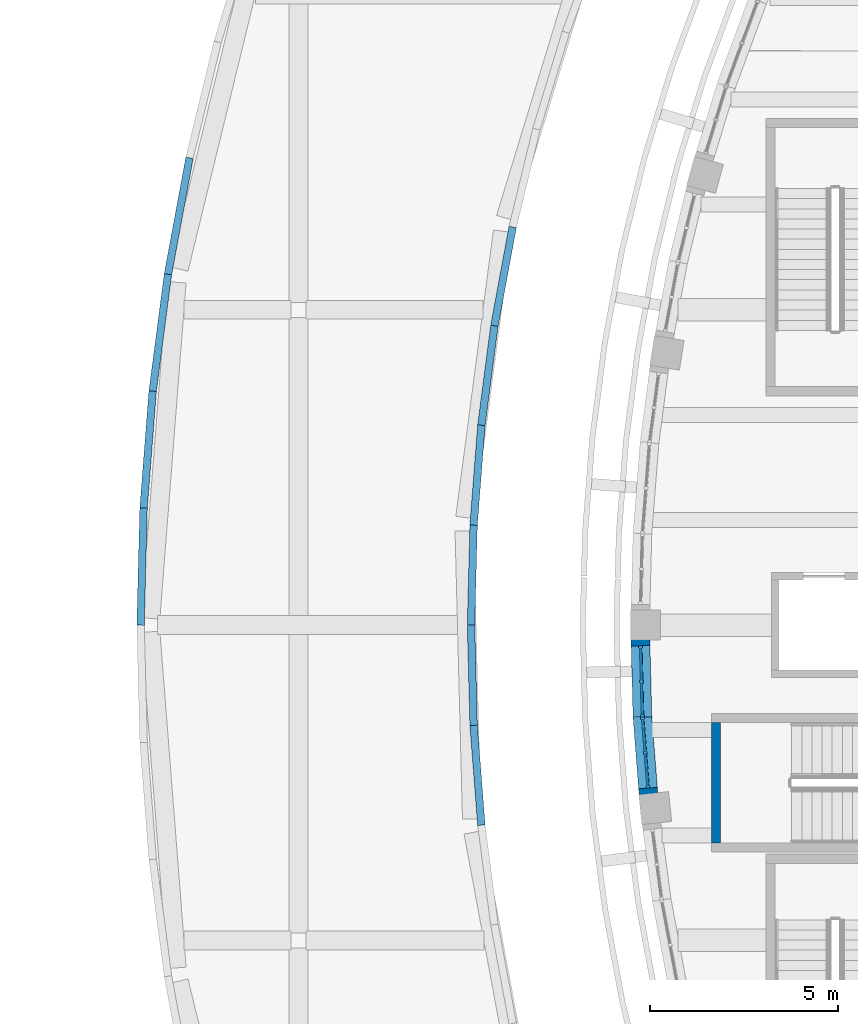
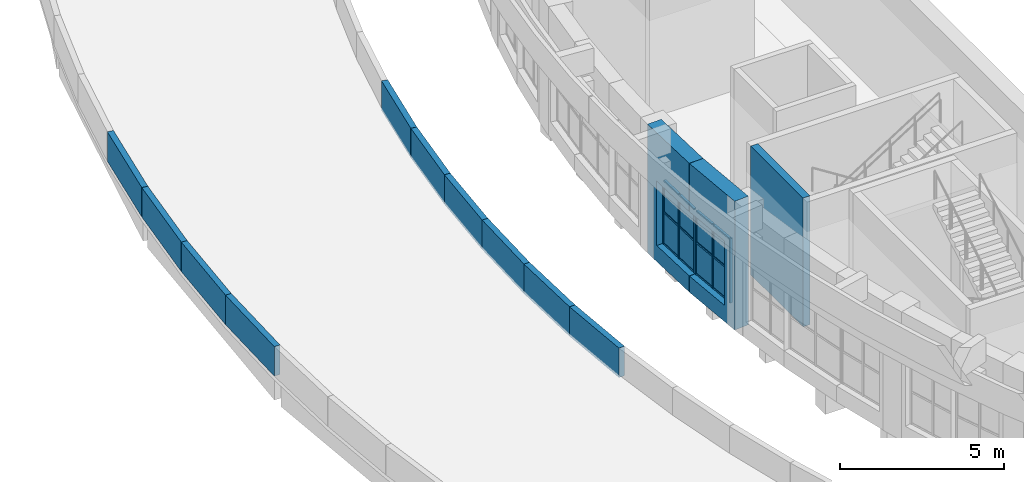
# One storey, part 21 of 79: 18 members, 13 walls, 8 plates, 2 openings, 2 elements without a shape of their own.
"""IFC4 building model written with IfcOpenShell, lengths in metres."""

from ifc_helpers import new_model, si_unit, direction, frame, frame_2d, origin, origin_2d, place, context, subcontext, project, spatial, rectangle, extrude, material, layer, layer_set, material_profile, profile_set, type_object, element, fill, aggregate, save


model = new_model("IFC4")

# Units and contexts
model_context = context("Model", 3, precision=1e-05, world=origin(), true_north=direction((0.0, 1.0)))
body_context = subcontext(model_context, "Body", "Model", "MODEL_VIEW")
ifc_project = project(units=[si_unit("LENGTHUNIT", "METRE"), si_unit("AREAUNIT", "SQUARE_METRE"), si_unit("VOLUMEUNIT", "CUBIC_METRE"), si_unit("PLANEANGLEUNIT", "RADIAN"), si_unit("MASSUNIT", "GRAM", prefix="KILO")], contexts=[model_context])

# Site, building, storey
site_placement = place(None, origin())
site = spatial("IfcSite", under=ifc_project, at=site_placement, CompositionType="ELEMENT")
building_placement = place(site_placement, origin())
building = spatial("IfcBuilding", under=site, at=building_placement, Name="Larchfold Concert Hall", CompositionType="ELEMENT")
storey_placement = place(building_placement, frame((0.0, 0.0, 14.39990234375)))
storey = spatial("IfcBuildingStorey", under=building, at=storey_placement, Name="L03", CompositionType="ELEMENT", Elevation=14.39990234375)

# Curtain wall, members
ifc_material_1 = material(Name="Anodised graphite aluminium curtain wall", Category="aluminium")
ifc_layer_1 = layer(ifc_material_1, 0.10009765625)
ifc_layer_set_1 = layer_set([ifc_layer_1], Name="Anodised graphite aluminium curtain wall")
curtain_wall_type = type_object("IfcCurtainWallType", Name="Curtain wall GB", PredefinedType="NOTDEFINED", material=ifc_layer_set_1)
curtain_wall_1_placement = place(storey_placement, origin())
curtain_wall_1 = element("IfcCurtainWall", 1, at=curtain_wall_1_placement, inside=storey, type_object=curtain_wall_type, Name="Curtain wall CW0039", PredefinedType="NOTDEFINED")
ifc_material_2 = material(Name="Anodised graphite aluminium mullion", Category="aluminium")
ifc_material_profile_1 = material_profile(ifc_material_2, rectangle(XDim=0.10009765625, YDim=0.06005859375, at=origin_2d()))
ifc_profile_set_1 = profile_set([ifc_material_profile_1], Name="Anodised graphite aluminium mullion")
member_type_1 = type_object("IfcMemberType", Name="Aluminium mullion 60x100", PredefinedType="MULLION", material=ifc_profile_set_1)
member_1_placement = place(storey_placement, frame((18.114990234375, 84.02001953125, 0.60009765625), z_axis=(0.0, 0.0, 1.0), x_axis=(0.999662672173, 0.025971943783, 0.0)))
member_1 = element("IfcMember", 2, at=member_1_placement, type_object=member_type_1, Name="CW0039 mullion 1", PredefinedType="MULLION", context=body_context, shape_type="SweptSolid", body=[
    extrude(rectangle(XDim=0.10009765625, YDim=0.06005859375, at=origin_2d()), origin(), (0.0, 0.0, 1.0), 2.39990234375),
])
member_2_placement = place(storey_placement, frame((18.138916015625, 83.100830078125, 0.60009765625), z_axis=(0.0, 0.0, 1.0), x_axis=(0.999662672173, 0.025971943783, 0.0)))
member_2 = element("IfcMember", 3, at=member_2_placement, type_object=member_type_1, Name="CW0039 mullion 2", PredefinedType="MULLION", context=body_context, shape_type="SweptSolid", body=[
    extrude(rectangle(XDim=0.10009765625, YDim=0.06005859375, at=origin_2d()), origin(), (0.0, 0.0, 1.0), 2.39990234375),
])
member_3_placement = place(storey_placement, frame((18.162841796875, 82.181884765625, 0.60009765625), z_axis=(0.0, 0.0, 1.0), x_axis=(0.999662672173, 0.025971943783, 0.0)))
member_3 = element("IfcMember", 4, at=member_3_placement, type_object=member_type_1, Name="CW0039 mullion 3", PredefinedType="MULLION", context=body_context, shape_type="SweptSolid", body=[
    extrude(rectangle(XDim=0.10009765625, YDim=0.06005859375, at=origin_2d()), origin(), (0.0, 0.0, 1.0), 2.39990234375),
])

curtain_wall_2_placement = place(storey_placement, origin())
curtain_wall_2 = element("IfcCurtainWall", 5, at=curtain_wall_2_placement, inside=storey, type_object=curtain_wall_type, Name="Curtain wall CW0040", PredefinedType="NOTDEFINED")
member_4_placement = place(storey_placement, frame((18.166015625, 82.121826171875, 0.60009765625), z_axis=(0.0, 0.0, 1.0), x_axis=(0.996949961472, 0.078043413054, 0.0)))
member_4 = element("IfcMember", 6, at=member_4_placement, type_object=member_type_1, Name="CW0040 mullion 1", PredefinedType="MULLION", context=body_context, shape_type="SweptSolid", body=[
    extrude(rectangle(XDim=0.10009765625, YDim=0.06005859375, at=origin_2d()), origin(), (0.0, 0.0, 1.0), 2.39990234375),
])
member_5_placement = place(storey_placement, frame((18.237548828125, 81.205322265625, 0.60009765625), z_axis=(0.0, 0.0, 1.0), x_axis=(0.996949961472, 0.078043413054, 0.0)))
member_5 = element("IfcMember", 7, at=member_5_placement, type_object=member_type_1, Name="CW0040 mullion 2", PredefinedType="MULLION", context=body_context, shape_type="SweptSolid", body=[
    extrude(rectangle(XDim=0.10009765625, YDim=0.06005859375, at=origin_2d()), origin(), (0.0, 0.0, 1.0), 2.39990234375),
])
member_6_placement = place(storey_placement, frame((18.309326171875, 80.288818359375, 0.60009765625), z_axis=(0.0, 0.0, 1.0), x_axis=(0.996949961472, 0.078043413054, 0.0)))
member_6 = element("IfcMember", 8, at=member_6_placement, type_object=member_type_1, Name="CW0040 mullion 3", PredefinedType="MULLION", context=body_context, shape_type="SweptSolid", body=[
    extrude(rectangle(XDim=0.10009765625, YDim=0.06005859375, at=origin_2d()), origin(), (0.0, 0.0, 1.0), 2.39990234375),
])

# Member
ifc_material_3 = material(Name="Anodised graphite aluminium transom", Category="aluminium")
ifc_material_profile_2 = material_profile(ifc_material_3, rectangle(XDim=0.080078125, YDim=0.06005859375, at=origin_2d()))
ifc_profile_set_2 = profile_set([ifc_material_profile_2], Name="Anodised graphite aluminium transom")
member_type_2 = type_object("IfcMemberType", Name="Aluminium transom 60x80", PredefinedType="USERDEFINED", material=ifc_profile_set_2)
member_7_placement = place(storey_placement, frame((18.11572265625, 83.989990234375, 0.630126953125), z_axis=(0.026134860815, -0.999658426189, 0.0), x_axis=(0.999658426189, 0.026134860815, 0.0)))
member_7 = element("IfcMember", 9, at=member_7_placement, type_object=member_type_2, Name="CW0039 transom 1.1", ObjectType="TRANSOM", PredefinedType="USERDEFINED", context=body_context, shape_type="SweptSolid", body=[
    extrude(rectangle(XDim=0.080078125, YDim=0.06005859375, at=origin_2d()), origin(), (0.0, 0.0, 1.0), 0.859375),
])

member_8_placement = place(storey_placement, frame((18.11572265625, 83.989990234375, 1.800048828125), z_axis=(0.026134860815, -0.999658426189, 0.0), x_axis=(0.999658426189, 0.026134860815, 0.0)))
member_8 = element("IfcMember", 10, at=member_8_placement, type_object=member_type_2, Name="CW0039 transom 1.2", ObjectType="TRANSOM", PredefinedType="USERDEFINED", context=body_context, shape_type="SweptSolid", body=[
    extrude(rectangle(XDim=0.080078125, YDim=0.06005859375, at=origin_2d()), origin(), (0.0, 0.0, 1.0), 0.859375),
])

member_9_placement = place(storey_placement, frame((18.11572265625, 83.989990234375, 2.969970703125), z_axis=(0.026134860815, -0.999658426189, 0.0), x_axis=(0.999658426189, 0.026134860815, 0.0)))
member_9 = element("IfcMember", 11, at=member_9_placement, type_object=member_type_2, Name="CW0039 transom 1.3", ObjectType="TRANSOM", PredefinedType="USERDEFINED", context=body_context, shape_type="SweptSolid", body=[
    extrude(rectangle(XDim=0.080078125, YDim=0.06005859375, at=origin_2d()), origin(), (0.0, 0.0, 1.0), 0.859375),
])

member_10_placement = place(storey_placement, frame((18.1396484375, 83.071044921875, 0.630126953125), z_axis=(0.026134860815, -0.999658426189, 0.0), x_axis=(0.999658426189, 0.026134860815, 0.0)))
member_10 = element("IfcMember", 12, at=member_10_placement, type_object=member_type_2, Name="CW0039 transom 2.1", ObjectType="TRANSOM", PredefinedType="USERDEFINED", context=body_context, shape_type="SweptSolid", body=[
    extrude(rectangle(XDim=0.080078125, YDim=0.06005859375, at=origin_2d()), origin(), (0.0, 0.0, 1.0), 0.859375),
])

member_11_placement = place(storey_placement, frame((18.1396484375, 83.071044921875, 1.800048828125), z_axis=(0.026134860815, -0.999658426189, 0.0), x_axis=(0.999658426189, 0.026134860815, 0.0)))
member_11 = element("IfcMember", 13, at=member_11_placement, type_object=member_type_2, Name="CW0039 transom 2.2", ObjectType="TRANSOM", PredefinedType="USERDEFINED", context=body_context, shape_type="SweptSolid", body=[
    extrude(rectangle(XDim=0.080078125, YDim=0.06005859375, at=origin_2d()), origin(), (0.0, 0.0, 1.0), 0.859375),
])

member_12_placement = place(storey_placement, frame((18.1396484375, 83.071044921875, 2.969970703125), z_axis=(0.026134860815, -0.999658426189, 0.0), x_axis=(0.999658426189, 0.026134860815, 0.0)))
member_12 = element("IfcMember", 14, at=member_12_placement, type_object=member_type_2, Name="CW0039 transom 2.3", ObjectType="TRANSOM", PredefinedType="USERDEFINED", context=body_context, shape_type="SweptSolid", body=[
    extrude(rectangle(XDim=0.080078125, YDim=0.06005859375, at=origin_2d()), origin(), (0.0, 0.0, 1.0), 0.859375),
])

member_13_placement = place(storey_placement, frame((18.168212890625, 82.092041015625, 0.630126953125), z_axis=(0.078130341124, -0.99694315274, 0.0), x_axis=(0.99694315274, 0.078130341124, 0.0)))
member_13 = element("IfcMember", 15, at=member_13_placement, type_object=member_type_2, Name="CW0040 transom 1.1", ObjectType="TRANSOM", PredefinedType="USERDEFINED", context=body_context, shape_type="SweptSolid", body=[
    extrude(rectangle(XDim=0.080078125, YDim=0.06005859375, at=origin_2d()), origin(), (0.0, 0.0, 1.0), 0.859375),
])

member_14_placement = place(storey_placement, frame((18.168212890625, 82.092041015625, 1.800048828125), z_axis=(0.078130341124, -0.99694315274, 0.0), x_axis=(0.99694315274, 0.078130341124, 0.0)))
member_14 = element("IfcMember", 16, at=member_14_placement, type_object=member_type_2, Name="CW0040 transom 1.2", ObjectType="TRANSOM", PredefinedType="USERDEFINED", context=body_context, shape_type="SweptSolid", body=[
    extrude(rectangle(XDim=0.080078125, YDim=0.06005859375, at=origin_2d()), origin(), (0.0, 0.0, 1.0), 0.859375),
])

member_15_placement = place(storey_placement, frame((18.168212890625, 82.092041015625, 2.969970703125), z_axis=(0.078130341124, -0.99694315274, 0.0), x_axis=(0.99694315274, 0.078130341124, 0.0)))
member_15 = element("IfcMember", 17, at=member_15_placement, type_object=member_type_2, Name="CW0040 transom 1.3", ObjectType="TRANSOM", PredefinedType="USERDEFINED", context=body_context, shape_type="SweptSolid", body=[
    extrude(rectangle(XDim=0.080078125, YDim=0.06005859375, at=origin_2d()), origin(), (0.0, 0.0, 1.0), 0.859375),
])

member_16_placement = place(storey_placement, frame((18.239990234375, 81.17529296875, 0.630126953125), z_axis=(0.078130341124, -0.99694315274, 0.0), x_axis=(0.99694315274, 0.078130341124, 0.0)))
member_16 = element("IfcMember", 18, at=member_16_placement, type_object=member_type_2, Name="CW0040 transom 2.1", ObjectType="TRANSOM", PredefinedType="USERDEFINED", context=body_context, shape_type="SweptSolid", body=[
    extrude(rectangle(XDim=0.080078125, YDim=0.06005859375, at=origin_2d()), origin(), (0.0, 0.0, 1.0), 0.859375),
])

member_17_placement = place(storey_placement, frame((18.239990234375, 81.17529296875, 1.800048828125), z_axis=(0.078130341124, -0.99694315274, 0.0), x_axis=(0.99694315274, 0.078130341124, 0.0)))
member_17 = element("IfcMember", 19, at=member_17_placement, type_object=member_type_2, Name="CW0040 transom 2.2", ObjectType="TRANSOM", PredefinedType="USERDEFINED", context=body_context, shape_type="SweptSolid", body=[
    extrude(rectangle(XDim=0.080078125, YDim=0.06005859375, at=origin_2d()), origin(), (0.0, 0.0, 1.0), 0.859375),
])

member_18_placement = place(storey_placement, frame((18.239990234375, 81.17529296875, 2.969970703125), z_axis=(0.078130341124, -0.99694315274, 0.0), x_axis=(0.99694315274, 0.078130341124, 0.0)))
member_18 = element("IfcMember", 20, at=member_18_placement, type_object=member_type_2, Name="CW0040 transom 2.3", ObjectType="TRANSOM", PredefinedType="USERDEFINED", context=body_context, shape_type="SweptSolid", body=[
    extrude(rectangle(XDim=0.080078125, YDim=0.06005859375, at=origin_2d()), origin(), (0.0, 0.0, 1.0), 0.859375),
])

# Plate
ifc_material_4 = material(Name="Insulated glazing unit, glass", Category="glass")
ifc_layer_2 = layer(ifc_material_4, 0.02392578125)
ifc_layer_set_2 = layer_set([ifc_layer_2], Name="Insulated glazing unit, glass")
plate_type_1 = type_object("IfcPlateType", Name="Glass panel 24", PredefinedType="CURTAIN_PANEL", material=ifc_layer_set_2)
plate_1_placement = place(storey_placement, frame((18.126953125, 83.560546875, 1.830078125), z_axis=(0.0, 0.0, 1.0), x_axis=(0.025971943783, -0.999662672173, 0.0)))
plate_1 = element("IfcPlate", 21, at=plate_1_placement, type_object=plate_type_1, Name="CW0039 panel 1.2", PredefinedType="CURTAIN_PANEL", context=body_context, shape_type="SweptSolid", body=[
    extrude(rectangle(XDim=0.859375, YDim=0.02392578125, at=origin_2d()), origin(), (0.0, 0.0, 1.0), 1.10986328125),
])

plate_2_placement = place(storey_placement, frame((18.15087890625, 82.641357421875, 1.830078125), z_axis=(0.0, 0.0, 1.0), x_axis=(0.025971943783, -0.999662672173, 0.0)))
plate_2 = element("IfcPlate", 22, at=plate_2_placement, type_object=plate_type_1, Name="CW0039 panel 2.2", PredefinedType="CURTAIN_PANEL", context=body_context, shape_type="SweptSolid", body=[
    extrude(rectangle(XDim=0.859375, YDim=0.02392578125, at=origin_2d()), origin(), (0.0, 0.0, 1.0), 1.10986328125),
])

plate_3_placement = place(storey_placement, frame((18.201904296875, 81.66357421875, 1.830078125), z_axis=(0.0, 0.0, 1.0), x_axis=(0.078043413054, -0.996949961472, 0.0)))
plate_3 = element("IfcPlate", 23, at=plate_3_placement, type_object=plate_type_1, Name="CW0040 panel 1.2", PredefinedType="CURTAIN_PANEL", context=body_context, shape_type="SweptSolid", body=[
    extrude(rectangle(XDim=0.859375, YDim=0.02392578125, at=origin_2d()), origin(), (0.0, 0.0, 1.0), 1.10986328125),
])

plate_4_placement = place(storey_placement, frame((18.2734375, 80.7470703125, 1.830078125), z_axis=(0.0, 0.0, 1.0), x_axis=(0.078043413054, -0.996949961472, 0.0)))
plate_4 = element("IfcPlate", 24, at=plate_4_placement, type_object=plate_type_1, Name="CW0040 panel 2.2", PredefinedType="CURTAIN_PANEL", context=body_context, shape_type="SweptSolid", body=[
    extrude(rectangle(XDim=0.859375, YDim=0.02392578125, at=origin_2d()), origin(), (0.0, 0.0, 1.0), 1.10986328125),
])

ifc_material_5 = material(Name="White insulated panel")
ifc_layer_3 = layer(ifc_material_5, 0.050048828125)
ifc_layer_set_3 = layer_set([ifc_layer_3], Name="White insulated panel")
plate_type_2 = type_object("IfcPlateType", Name="Insulated spandrel panel 50", PredefinedType="CURTAIN_PANEL", material=ifc_layer_set_3)
plate_5_placement = place(storey_placement, frame((18.126953125, 83.560546875, 0.66015625), z_axis=(0.0, 0.0, 1.0), x_axis=(0.025971943783, -0.999662672173, 0.0)))
plate_5 = element("IfcPlate", 25, at=plate_5_placement, type_object=plate_type_2, Name="CW0039 panel 1.1", PredefinedType="CURTAIN_PANEL", context=body_context, shape_type="SweptSolid", body=[
    extrude(rectangle(XDim=0.859375, YDim=0.050048828125, at=origin_2d()), origin(), (0.0, 0.0, 1.0), 1.10986328125),
])

plate_6_placement = place(storey_placement, frame((18.15087890625, 82.641357421875, 0.66015625), z_axis=(0.0, 0.0, 1.0), x_axis=(0.025971943783, -0.999662672173, 0.0)))
plate_6 = element("IfcPlate", 26, at=plate_6_placement, type_object=plate_type_2, Name="CW0039 panel 2.1", PredefinedType="CURTAIN_PANEL", context=body_context, shape_type="SweptSolid", body=[
    extrude(rectangle(XDim=0.859375, YDim=0.050048828125, at=origin_2d()), origin(), (0.0, 0.0, 1.0), 1.10986328125),
])

aggregate(curtain_wall_1, [member_1, member_2, member_3, member_7, member_8, member_9, plate_5, plate_1, member_10, member_11, member_12, plate_6, plate_2])

plate_7_placement = place(storey_placement, frame((18.201904296875, 81.66357421875, 0.66015625), z_axis=(0.0, 0.0, 1.0), x_axis=(0.078043413054, -0.996949961472, 0.0)))
plate_7 = element("IfcPlate", 27, at=plate_7_placement, type_object=plate_type_2, Name="CW0040 panel 1.1", PredefinedType="CURTAIN_PANEL", context=body_context, shape_type="SweptSolid", body=[
    extrude(rectangle(XDim=0.859375, YDim=0.050048828125, at=origin_2d()), origin(), (0.0, 0.0, 1.0), 1.10986328125),
])

plate_8_placement = place(storey_placement, frame((18.2734375, 80.7470703125, 0.66015625), z_axis=(0.0, 0.0, 1.0), x_axis=(0.078043413054, -0.996949961472, 0.0)))
plate_8 = element("IfcPlate", 28, at=plate_8_placement, type_object=plate_type_2, Name="CW0040 panel 2.1", PredefinedType="CURTAIN_PANEL", context=body_context, shape_type="SweptSolid", body=[
    extrude(rectangle(XDim=0.859375, YDim=0.050048828125, at=origin_2d()), origin(), (0.0, 0.0, 1.0), 1.10986328125),
])

aggregate(curtain_wall_2, [member_4, member_5, member_6, member_13, member_14, member_15, plate_7, plate_3, member_16, member_17, member_18, plate_8, plate_4])

# Walls
ifc_material_6 = material(Name="White render on insulated block")
ifc_layer_4 = layer(ifc_material_6, 0.199951171875)
ifc_layer_set_4 = layer_set([ifc_layer_4], Name="White render on insulated block")
wall_type_1 = type_object("IfcWallType", Name="Roof parapet 200", PredefinedType="PARAPET", material=ifc_layer_set_4)
wall_1_placement = place(storey_placement, frame((13.874755859375, 79.271240234375, 0.0), z_axis=(0.0, 0.0, 1.0), x_axis=(-0.077585014902, 0.996985739849, 0.0)))
element("IfcWall", 29, at=wall_1_placement, inside=storey, type_object=wall_type_1, Name="Parapet PW0019", PredefinedType="PARAPET", context=body_context, shape_type="SweptSolid", body=[
    extrude(rectangle(XDim=2.66845703125, YDim=0.199951171875, at=frame_2d((1.334228515625, 0.0))), origin(), (0.0, 0.0, 1.0), 1.10009765625),
])
wall_2_placement = place(storey_placement, frame((13.667724609375, 81.931640625, 0.0), z_axis=(0.0, 0.0, 1.0), x_axis=(-0.025817931915, 0.999666661639, 0.0)))
element("IfcWall", 30, at=wall_2_placement, inside=storey, type_object=wall_type_1, Name="Parapet PW0020", PredefinedType="PARAPET", context=body_context, shape_type="SweptSolid", body=[
    extrude(rectangle(XDim=2.666748046875, YDim=0.199951171875, at=frame_2d((1.33349609375, 0.0))), origin(), (0.0, 0.0, 1.0), 1.10009765625),
])
wall_3_placement = place(storey_placement, frame((13.598876953125, 84.597412109375, 0.0), z_axis=(0.0, 0.0, 1.0), x_axis=(0.025724085325, 0.999669080963, 0.0)))
element("IfcWall", 31, at=wall_3_placement, inside=storey, type_object=wall_type_1, Name="Parapet PW0021", PredefinedType="PARAPET", context=body_context, shape_type="SweptSolid", body=[
    extrude(rectangle(XDim=2.6669921875, YDim=0.199951171875, at=frame_2d((1.33349609375, 0.0))), origin(), (0.0, 0.0, 1.0), 1.10009765625),
])
wall_4_placement = place(storey_placement, frame((13.66748046875, 87.263427734375, 0.0), z_axis=(0.0, 0.0, 1.0), x_axis=(0.0774940729, 0.996992812745, 0.0)))
element("IfcWall", 32, at=wall_4_placement, inside=storey, type_object=wall_type_1, Name="Parapet PW0022", PredefinedType="PARAPET", context=body_context, shape_type="SweptSolid", body=[
    extrude(rectangle(XDim=2.66845703125, YDim=0.199951171875, at=frame_2d((1.334228515625, 0.0))), origin(), (0.0, 0.0, 1.0), 1.10009765625),
])
wall_5_placement = place(storey_placement, frame((13.874267578125, 89.923828125, 0.0), z_axis=(0.0, 0.0, 1.0), x_axis=(0.129577482891, 0.991569299609, 0.0)))
element("IfcWall", 33, at=wall_5_placement, inside=storey, type_object=wall_type_1, Name="Parapet PW0023", PredefinedType="PARAPET", context=body_context, shape_type="SweptSolid", body=[
    extrude(rectangle(XDim=2.671630859375, YDim=0.199951171875, at=frame_2d((1.3359375, 0.0))), origin(), (0.0, 0.0, 1.0), 1.10009765625),
])
wall_6_placement = place(storey_placement, frame((14.220458984375, 92.572998046875, 0.0), z_axis=(0.0, 0.0, 1.0), x_axis=(0.182294984903, 0.983243885554, 0.0)))
element("IfcWall", 34, at=wall_6_placement, inside=storey, type_object=wall_type_1, Name="Parapet PW0024", PredefinedType="PARAPET", context=body_context, shape_type="SweptSolid", body=[
    extrude(rectangle(XDim=2.67724609375, YDim=0.199951171875, at=frame_2d((1.338623046875, 0.0))), origin(), (0.0, 0.0, 1.0), 1.10009765625),
])
wall_7_placement = place(storey_placement, frame((6.099853515625, 97.047119140625, 0.0), z_axis=(0.0, 0.0, 1.0), x_axis=(-0.18227780776, -0.983247070068, 0.0)))
element("IfcWall", 35, at=wall_7_placement, inside=storey, type_object=wall_type_1, Name="Parapet PW0058", PredefinedType="PARAPET", context=body_context, shape_type="SweptSolid", body=[
    extrude(rectangle(XDim=3.15283203125, YDim=0.199951171875, at=frame_2d((1.576416015625, 0.0))), origin(), (0.0, 0.0, 1.0), 1.10009765625),
])
wall_8_placement = place(storey_placement, frame((5.525146484375, 93.947021484375, 0.0), z_axis=(0.0, 0.0, 1.0), x_axis=(-0.129721752985, -0.991550435834, 0.0)))
element("IfcWall", 36, at=wall_8_placement, inside=storey, type_object=wall_type_1, Name="Parapet PW0059", PredefinedType="PARAPET", context=body_context, shape_type="SweptSolid", body=[
    extrude(rectangle(XDim=3.137451171875, YDim=0.199951171875, at=frame_2d((1.56884765625, 0.0))), origin(), (0.0, 0.0, 1.0), 1.10009765625),
])
wall_9_placement = place(storey_placement, frame((5.1181640625, 90.836181640625, 0.0), z_axis=(0.0, 0.0, 1.0), x_axis=(-0.077436681321, -0.996997272005, 0.0)))
element("IfcWall", 37, at=wall_9_placement, inside=storey, type_object=wall_type_1, Name="Parapet PW0060", PredefinedType="PARAPET", context=body_context, shape_type="SweptSolid", body=[
    extrude(rectangle(XDim=3.12744140625, YDim=0.199951171875, at=frame_2d((1.563720703125, 0.0))), origin(), (0.0, 0.0, 1.0), 1.10009765625),
])
wall_10_placement = place(storey_placement, frame((4.8759765625, 87.718017578125, 0.0), z_axis=(0.0, 0.0, 1.0), x_axis=(-0.02580895594, -0.999666893417, 0.0)))
element("IfcWall", 38, at=wall_10_placement, inside=storey, type_object=wall_type_1, Name="Parapet PW0061", PredefinedType="PARAPET", context=body_context, shape_type="SweptSolid", body=[
    extrude(rectangle(XDim=3.12158203125, YDim=0.199951171875, at=frame_2d((1.560791015625, 0.0))), origin(), (0.0, 0.0, 1.0), 1.10009765625),
])
ifc_material_7 = material(Name="Concrete C40/50", Category="concrete")
ifc_layer_5 = layer(ifc_material_7, 0.25)
ifc_layer_set_5 = layer_set([ifc_layer_5], Name="Concrete C40/50")
wall_type_2 = type_object("IfcWallType", Name="Wall RC 250 stair core", PredefinedType="SOLIDWALL", material=ifc_layer_set_5)
wall_11_placement = place(storey_placement, frame((20.125, 78.800048828125, 0.0), z_axis=(0.0, 0.0, 1.0), x_axis=(0.0, 1.0, 0.0)))
element("IfcWall", 39, at=wall_11_placement, inside=storey, type_object=wall_type_2, Name="Wall W0056", PredefinedType="SOLIDWALL", context=body_context, shape_type="SweptSolid", body=[
    extrude(rectangle(XDim=3.199951171875, YDim=0.25, at=frame_2d((1.60009765625, 0.0))), origin(), (0.0, 0.0, 1.0), 4.800048828125),
])

# Wall, opening
ifc_material_8 = material(Name="Concrete C30/37", Category="concrete")
ifc_layer_6 = layer(ifc_material_8, 0.5)
ifc_layer_set_6 = layer_set([ifc_layer_6], Name="Concrete C30/37")
wall_type_3 = type_object("IfcWallType", Name="Wall RC 500 drum facade", PredefinedType="SOLIDWALL", material=ifc_layer_set_6)
wall_12_placement = place(storey_placement, frame((18.10009765625, 84.60009765625, 0.0), z_axis=(0.0, 0.0, 1.0), x_axis=(0.02591869307, -0.999664054245, 0.0)))
wall_12 = element("IfcWall", 40, at=wall_12_placement, inside=storey, type_object=wall_type_3, Name="Wall DW039", PredefinedType="SOLIDWALL", context=body_context, shape_type="SweptSolid", body=[
    extrude(rectangle(XDim=2.448974609375, YDim=0.5, at=frame_2d((1.224609375, 0.0))), origin(), (0.0, 0.0, 1.0), 4.800048828125),
])
opening_1_placement = place(wall_12_placement, frame((0.55029296875, 0.0, 0.60009765625)))
opening_1 = element("IfcOpeningElement", 41, at=opening_1_placement, cuts=wall_12, Name="Opening CW0039", PredefinedType="OPENING", context=body_context, shape_type="SweptSolid", body=[
    extrude(rectangle(XDim=1.89892578125, YDim=2.39990234375, at=frame_2d((0.949462890625, 1.199951171875))), frame((0.0, 0.260009765625, 0.0), z_axis=(0.0, -1.0, 0.0), x_axis=(1.0, 0.0, 0.0)), (0.0, 0.0, 1.0), 0.52001953125),
])

fill(opening_1, curtain_wall_1)

wall_13_placement = place(storey_placement, frame((18.16357421875, 82.15185546875, 0.0), z_axis=(0.0, 0.0, 1.0), x_axis=(0.078053315948, -0.996949186202, 0.0)))
wall_13 = element("IfcWall", 42, at=wall_13_placement, inside=storey, type_object=wall_type_3, Name="Wall DW040", PredefinedType="SOLIDWALL", context=body_context, shape_type="SweptSolid", body=[
    extrude(rectangle(XDim=2.44921875, YDim=0.5, at=frame_2d((1.224609375, 0.0))), origin(), (0.0, 0.0, 1.0), 4.800048828125),
])
opening_2_placement = place(wall_13_placement, frame((0.0, 0.0, 0.60009765625)))
opening_2 = element("IfcOpeningElement", 43, at=opening_2_placement, cuts=wall_13, Name="Opening CW0040", PredefinedType="OPENING", context=body_context, shape_type="SweptSolid", body=[
    extrude(rectangle(XDim=1.89892578125, YDim=2.39990234375, at=frame_2d((0.949462890625, 1.199951171875))), frame((0.0, 0.260009765625, 0.0), z_axis=(0.0, -1.0, 0.0), x_axis=(1.0, 0.0, 0.0)), (0.0, 0.0, 1.0), 0.52001953125),
])

fill(opening_2, curtain_wall_2)

save(model, "model.ifc")
